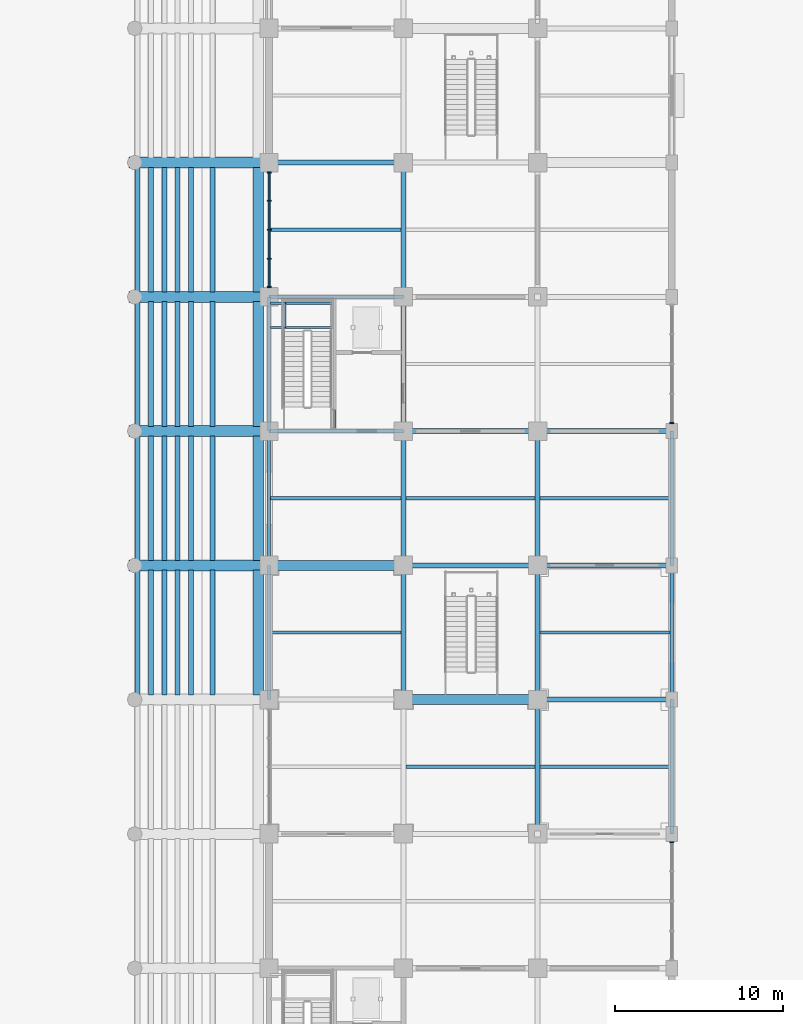
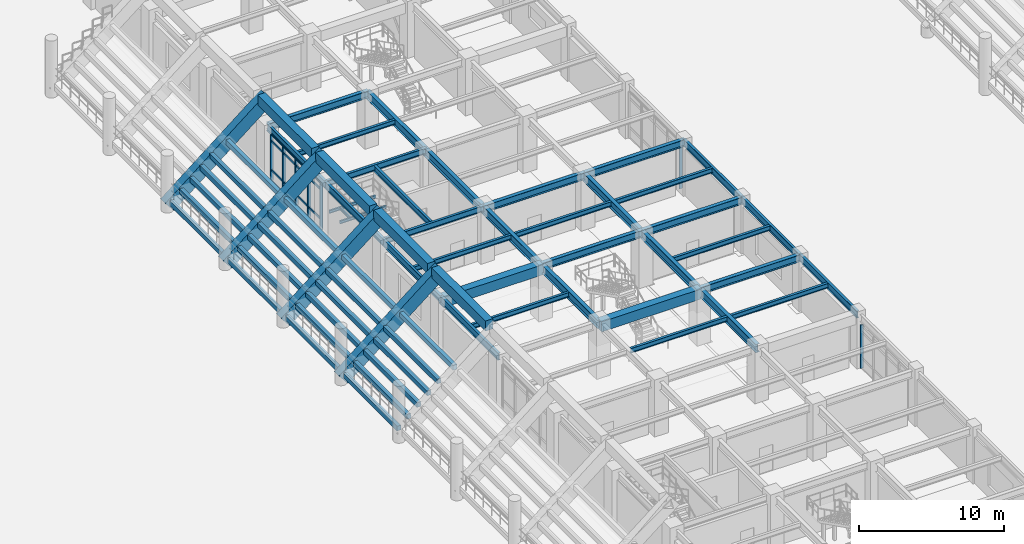
# One storey, part 37 of 125: 68 beams, 23 members, 3 elements without a shape of their own.
"""IFC4 building model written with IfcOpenShell, lengths in metres."""

import ifcopenshell
import ifcopenshell.guid

model = None  # the IFC model being written
_history = None  # IfcOwnerHistory: only IFC2X3 demands one
_inside = {}  # id of a spatial element -> (the spatial element, [elements in it])
_under = {}  # id of a project, library or spatial element -> (it, [spatial elements below it])
_declared = {}  # id of a project -> (the project, [libraries it declares])
_typed = {}  # id of a type object -> (the type object, [elements of that type])
_made_of = {}  # id of a material, layer set ... -> (it, [elements and type objects made of it])


def new_model(schema):
    """Start an empty IFC model of exactly this schema.

    Asked for "IFC4X3", IfcOpenShell would pick the latest addendum, in which some entities
    have other attributes; the version numbers below select the first issue.
    IFC2X3 requires an IfcOwnerHistory on every rooted entity: one is made here for all.
    """
    global model, _history
    if schema == "IFC4X3":
        model = ifcopenshell.file(schema_version=(4, 3, 0, 0))
    else:
        model = ifcopenshell.file(schema=schema)
    _inside.clear()
    _under.clear()
    _declared.clear()
    _typed.clear()
    _made_of.clear()
    _history = None
    if model.schema == "IFC2X3":
        org = make("IfcOrganization", Name="unknown")
        user = make(
            "IfcPersonAndOrganization",
            ThePerson=make("IfcPerson", FamilyName="unknown"),
            TheOrganization=org,
        )
        app = make(
            "IfcApplication",
            ApplicationDeveloper=org,
            Version="unknown",
            ApplicationFullName="unknown",
            ApplicationIdentifier="unknown",
        )
        _history = make(
            "IfcOwnerHistory",
            OwningUser=user,
            OwningApplication=app,
            ChangeAction="ADDED",
            CreationDate=0,
        )
    return model


def make(cls, **values):
    """One entity of the class cls with the attributes given. An attribute that is None is left unset."""
    return model.create_entity(
        cls, **{name: value for name, value in values.items() if value is not None}
    )


def rooted(cls, **values):
    """An entity with a GlobalId (a new one), such as an element, a storey or a relation."""
    return make(cls, GlobalId=ifcopenshell.guid.new(), OwnerHistory=_history, **values)


def si_unit(unit_type, name, prefix=None):
    """IfcSIUnit, for example si_unit("LENGTHUNIT", "METRE", prefix="MILLI")."""
    return make("IfcSIUnit", UnitType=unit_type, Prefix=prefix, Name=name)


def assignment(units):
    """IfcUnitAssignment: the units of a project."""
    return None if units is None else make("IfcUnitAssignment", Units=units)


def point(xyz):
    """IfcCartesianPoint."""
    return None if xyz is None else make("IfcCartesianPoint", Coordinates=xyz)


def direction(xyz):
    """IfcDirection."""
    return None if xyz is None else make("IfcDirection", DirectionRatios=xyz)


def frame(location, z_axis=None, x_axis=None):
    """IfcAxis2Placement3D, a coordinate frame: its origin and axes. An axis left out is left unset."""
    return make(
        "IfcAxis2Placement3D",
        Location=point(location),
        Axis=direction(z_axis),
        RefDirection=direction(x_axis),
    )


def frame_2d(location, x_axis=None):
    """IfcAxis2Placement2D, a coordinate frame in the plane: its origin and x axis."""
    return make(
        "IfcAxis2Placement2D", Location=point(location), RefDirection=direction(x_axis)
    )


def origin():
    """The frame at (0, 0, 0) with its axes left unset."""
    return frame((0.0, 0.0, 0.0))


def origin_2d():
    """The frame at (0, 0) in the plane with its x axis left unset."""
    return frame_2d((0.0, 0.0))


def place(relative_to, where):
    """IfcLocalPlacement: puts the frame where relative to a parent placement (None: the world)."""
    return make(
        "IfcLocalPlacement", PlacementRelTo=relative_to, RelativePlacement=where
    )


def context(
    kind, dimensions, precision=None, world=None, true_north=None, identifier=None
):
    """IfcGeometricRepresentationContext, for example the 3D "Model" context."""
    return make(
        "IfcGeometricRepresentationContext",
        ContextIdentifier=identifier,
        ContextType=kind,
        CoordinateSpaceDimension=dimensions,
        Precision=precision,
        WorldCoordinateSystem=world,
        TrueNorth=true_north,
    )


def subcontext(parent, identifier, kind, view, scale=None):
    """IfcGeometricRepresentationSubContext, for example "Body" below "Model"."""
    return make(
        "IfcGeometricRepresentationSubContext",
        ContextIdentifier=identifier,
        ContextType=kind,
        ParentContext=parent,
        TargetScale=scale,
        TargetView=view,
    )


def project(units=None, contexts=None):
    """IfcProject with its units and contexts."""
    return rooted(
        "IfcProject",
        Name="project",
        RepresentationContexts=contexts,
        UnitsInContext=assignment(units),
    )


def spatial(cls, under=None, at=None, **own):
    """A site, building, storey or space (cls), placed at a placement, below another one or the project."""
    s = rooted(cls, ObjectPlacement=at, **own)
    if under is not None:
        _under.setdefault(under.id(), (under, []))[1].append(s)
    return s


def profile(cls, at=None, kind="AREA", **sizes):
    """A parametric profile (cls). Its sizes go by their IFC names, for example OverallWidth=200.0."""
    return make(cls, ProfileType=kind, Position=at, **sizes)


def rectangle(**sizes):
    """IfcRectangleProfileDef."""
    return profile("IfcRectangleProfileDef", **sizes)


def i_section(**sizes):
    """IfcIShapeProfileDef."""
    return profile("IfcIShapeProfileDef", **sizes)


def extrude(swept, where, along, depth):
    """IfcExtrudedAreaSolid: the profile swept, set in the frame where, extruded along a direction by depth."""
    return make(
        "IfcExtrudedAreaSolid",
        SweptArea=swept,
        Position=where,
        ExtrudedDirection=direction(along),
        Depth=depth,
    )


def shape(context_of_items, identifier, shape_type, items):
    """IfcShapeRepresentation: the items that make up one representation, for example the "Body"."""
    return make(
        "IfcShapeRepresentation",
        ContextOfItems=context_of_items,
        RepresentationIdentifier=identifier,
        RepresentationType=shape_type,
        Items=items,
    )


def material(Name=None, Category=None):
    """IfcMaterial."""
    return make("IfcMaterial", Name=Name, Category=Category)


def layer(
    of_material, thickness, ventilated=None, Name=None, Category=None, Priority=None
):
    """IfcMaterialLayer: one layer of a wall or slab, of a material (None: an air gap)."""
    return make(
        "IfcMaterialLayer",
        Material=of_material,
        LayerThickness=thickness,
        IsVentilated=ventilated,
        Name=Name,
        Category=Category,
        Priority=Priority,
    )


def layer_set(layers, Name=None):
    """IfcMaterialLayerSet."""
    return make("IfcMaterialLayerSet", MaterialLayers=layers, LayerSetName=Name)


def material_profile(
    of_material, cross_section, Name=None, Category=None, Priority=None
):
    """IfcMaterialProfile: a cross section and its material."""
    return make(
        "IfcMaterialProfile",
        Name=Name,
        Material=of_material,
        Profile=cross_section,
        Priority=Priority,
        Category=Category,
    )


def profile_set(profiles, Name=None, composite=None):
    """IfcMaterialProfileSet."""
    return make(
        "IfcMaterialProfileSet",
        Name=Name,
        MaterialProfiles=profiles,
        CompositeProfile=composite,
    )


def made_of(thing, what):
    """Note that an element or type object is made of a material, layer set ...; save() writes the relation."""
    if what is not None:
        _made_of.setdefault(what.id(), (what, []))[1].append(thing)
    return thing


def type_object(cls, material=None, **own):
    """A type object (cls), such as IfcWallType, which elements share."""
    return made_of(rooted(cls, **own), material)


def element(
    cls,
    number,
    at=None,
    inside=None,
    cuts=None,
    type_object=None,
    material=None,
    context=None,
    identifier="Body",
    shape_type=None,
    held_by="IfcProductDefinitionShape",
    body=None,
    shapes=None,
    **own,
):
    """One element of the class cls, such as IfcWall. Its Tag is "e" and its number.

    at: its placement. inside: the storey or other place that contains it. cuts: it is an
    opening in that element (IfcRelVoidsElement). A single representation is given by context,
    identifier, shape_type and body (its items); several are given by shapes. held_by: the class
    of the entity that holds the representations. save() writes the other relations.
    """
    e = rooted(cls, Tag="e%d" % number, ObjectPlacement=at, **own)
    if body is not None:
        shapes = [shape(context, identifier, shape_type, body)]
    if shapes is not None:
        e.Representation = make(held_by, Representations=shapes)
    if inside is not None:
        _inside.setdefault(inside.id(), (inside, []))[1].append(e)
    if cuts is not None:
        rooted(
            "IfcRelVoidsElement", RelatingBuildingElement=cuts, RelatedOpeningElement=e
        )
    if type_object is not None:
        _typed.setdefault(type_object.id(), (type_object, []))[1].append(e)
    return made_of(e, material)


def aggregate(whole, parts):
    """IfcRelAggregates: a whole, such as a stair, and the parts it consists of."""
    return rooted("IfcRelAggregates", RelatingObject=whole, RelatedObjects=parts)


def save(model, path):
    """Write the relations noted so far, then the file.

    IfcRelAggregates (storeys below a building ...), IfcRelContainedInSpatialStructure (elements
    in a storey), IfcRelDefinesByType, IfcRelAssociatesMaterial and IfcRelDeclares: one each for
    every whole, place, type object, material and project.
    """
    for whole, parts in _under.values():
        aggregate(whole, parts)
    for where, things in _inside.values():
        rooted(
            "IfcRelContainedInSpatialStructure",
            RelatedElements=things,
            RelatingStructure=where,
        )
    for kind, things in _typed.values():
        rooted("IfcRelDefinesByType", RelatedObjects=things, RelatingType=kind)
    for what, things in _made_of.values():
        rooted("IfcRelAssociatesMaterial", RelatedObjects=things, RelatingMaterial=what)
    for by, libraries in _declared.values():
        rooted("IfcRelDeclares", RelatingContext=by, RelatedDefinitions=libraries)
    model.write(path)


model = new_model("IFC4")

# Units and contexts
model_context = context("Model", 3, precision=1e-05, world=origin(), true_north=direction((0.0, 1.0)))
body_context = subcontext(model_context, "Body", "Model", "MODEL_VIEW")
ifc_project = project(units=[si_unit("LENGTHUNIT", "METRE"), si_unit("AREAUNIT", "SQUARE_METRE"), si_unit("VOLUMEUNIT", "CUBIC_METRE"), si_unit("PLANEANGLEUNIT", "RADIAN"), si_unit("MASSUNIT", "GRAM", prefix="KILO")], contexts=[model_context])

# Site, building, storey
site_placement = place(None, origin())
site = spatial("IfcSite", under=ifc_project, at=site_placement, CompositionType="ELEMENT")
building_placement = place(site_placement, origin())
building = spatial("IfcBuilding", under=site, at=building_placement, Name="Haebicheon Civic Stadium", CompositionType="ELEMENT")
storey_placement = place(building_placement, origin())
storey = spatial("IfcBuildingStorey", under=building, at=storey_placement, Name="L01", CompositionType="ELEMENT", Elevation=0.0)

# Beams
ifc_material_1 = material(Name="Precast concrete C40/50", Category="concrete")
ifc_material_profile_1 = material_profile(ifc_material_1, rectangle(XDim=0.300048828125, YDim=0.39990234375, at=origin_2d()), Name="PC-LN-300x400")
ifc_profile_set_1 = profile_set([ifc_material_profile_1], Name="Precast concrete C40/50")
beam_type_1 = type_object("IfcBeamType", Name="BM-LN-300x400", PredefinedType="LINTEL", material=ifc_profile_set_1)
for number, where, z_axis, x_axis, name in (
    (1, (136.159912109375, 88.280029296875, 0.760009765625), (0.0, 1.0, 0.0), (-1.0, 0.0, 0.0), "TIER-E-L precast step carrier beam 6.1"),
    (2, (136.9599609375, 88.280029296875, 1.470947265625), (0.0, 1.0, 0.0), (-1.0, 0.0, 0.0), "TIER-E-L precast step carrier beam 6.2"),
    (3, (137.760009765625, 88.280029296875, 2.181884765625), (0.0, 1.0, 0.0), (-1.0, 0.0, 0.0), "TIER-E-L precast step carrier beam 6.3"),
    (4, (138.56005859375, 88.280029296875, 2.89306640625), (0.0, 1.0, 0.0), (-1.0, 0.0, 0.0), "TIER-E-L precast step carrier beam 6.4"),
    (5, (139.360107421875, 88.280029296875, 3.60400390625), (0.0, 1.0, 0.0), (-1.0, 0.0, 0.0), "TIER-E-L precast step carrier beam 6.5"),
    (6, (140.639892578125, 88.280029296875, 4.31591796875), (0.0, 1.0, 0.0), (-1.0, 0.0, 0.0), "TIER-E-L precast step carrier beam 6.6"),
    (7, (136.159912109375, 96.280029296875, 0.760009765625), (0.0, 1.0, 0.0), (-1.0, 0.0, 0.0), "TIER-E-L precast step carrier beam 7.1"),
    (8, (136.9599609375, 96.280029296875, 1.470947265625), (0.0, 1.0, 0.0), (-1.0, 0.0, 0.0), "TIER-E-L precast step carrier beam 7.2"),
    (9, (137.760009765625, 96.280029296875, 2.181884765625), (0.0, 1.0, 0.0), (-1.0, 0.0, 0.0), "TIER-E-L precast step carrier beam 7.3"),
    (10, (138.56005859375, 96.280029296875, 2.89306640625), (0.0, 1.0, 0.0), (-1.0, 0.0, 0.0), "TIER-E-L precast step carrier beam 7.4"),
    (11, (139.360107421875, 96.280029296875, 3.60400390625), (0.0, 1.0, 0.0), (-1.0, 0.0, 0.0), "TIER-E-L precast step carrier beam 7.5"),
    (12, (140.639892578125, 96.280029296875, 4.31591796875), (0.0, 1.0, 0.0), (-1.0, 0.0, 0.0), "TIER-E-L precast step carrier beam 7.6"),
    (13, (136.159912109375, 104.280029296875, 0.760009765625), (0.0, 1.0, 0.0), (-1.0, 0.0, 0.0), "TIER-E-L precast step carrier beam 8.1"),
    (14, (136.9599609375, 104.280029296875, 1.470947265625), (0.0, 1.0, 0.0), (-1.0, 0.0, 0.0), "TIER-E-L precast step carrier beam 8.2"),
    (15, (137.760009765625, 104.280029296875, 2.181884765625), (0.0, 1.0, 0.0), (-1.0, 0.0, 0.0), "TIER-E-L precast step carrier beam 8.3"),
    (16, (138.56005859375, 104.280029296875, 2.89306640625), (0.0, 1.0, 0.0), (-1.0, 0.0, 0.0), "TIER-E-L precast step carrier beam 8.4"),
    (17, (139.360107421875, 104.280029296875, 3.60400390625), (0.0, 1.0, 0.0), (-1.0, 0.0, 0.0), "TIER-E-L precast step carrier beam 8.5"),
    (18, (140.639892578125, 104.280029296875, 4.31591796875), (0.0, 1.0, 0.0), (-1.0, 0.0, 0.0), "TIER-E-L precast step carrier beam 8.6"),
    (19, (136.159912109375, 112.280029296875, 0.760009765625), (0.0, 1.0, 0.0), (-1.0, 0.0, 0.0), "TIER-E-L precast step carrier beam 9.1"),
    (20, (136.9599609375, 112.280029296875, 1.470947265625), (0.0, 1.0, 0.0), (-1.0, 0.0, 0.0), "TIER-E-L precast step carrier beam 9.2"),
    (21, (137.760009765625, 112.280029296875, 2.181884765625), (0.0, 1.0, 0.0), (-1.0, 0.0, 0.0), "TIER-E-L precast step carrier beam 9.3"),
    (22, (138.56005859375, 112.280029296875, 2.89306640625), (0.0, 1.0, 0.0), (-1.0, 0.0, 0.0), "TIER-E-L precast step carrier beam 9.4"),
    (23, (139.360107421875, 112.280029296875, 3.60400390625), (0.0, 1.0, 0.0), (-1.0, 0.0, 0.0), "TIER-E-L precast step carrier beam 9.5"),
    (24, (140.639892578125, 112.280029296875, 4.31591796875), (0.0, 1.0, 0.0), (-1.0, 0.0, 0.0), "TIER-E-L precast step carrier beam 9.6"),
):
    element("IfcBeam", number, at=place(storey_placement, frame(where, z_axis=z_axis, x_axis=x_axis)), inside=storey, type_object=beam_type_1, material=ifc_profile_set_1, Name=name, PredefinedType="LINTEL", context=body_context, shape_type="SweptSolid", body=[
        extrude(rectangle(XDim=0.300048828125, YDim=0.39990234375, at=origin_2d()), origin(), (0.0, 0.0, 1.0), 7.43994140625),
    ])
ifc_material_2 = material(Name="Steel SM355 (S355)", Category="steel")
ifc_material_profile_2 = material_profile(ifc_material_2, i_section(OverallWidth=0.199951171875, OverallDepth=0.5, WebThickness=0.010009765625, FlangeThickness=0.01611328125, at=origin_2d()), Name="H-500x200x10x16")
ifc_profile_set_2 = profile_set([ifc_material_profile_2], Name="Steel SM355 (S355)")
beam_type_2 = type_object("IfcBeamType", Name="BM-ST-H500", PredefinedType="BEAM", material=ifc_profile_set_2)
for number, where, z_axis, x_axis, name in (
    (25, (144.0, 104.0, 4.27001953125), (1.0, 0.0, 0.0), (0.0, 1.0, 0.0), "L01 beam P/19-20"),
    (26, (144.0, 112.0, 4.27001953125), (1.0, 0.0, 0.0), (0.0, 1.0, 0.0), "L01 beam Q/19-20"),
):
    element("IfcBeam", number, at=place(storey_placement, frame(where, z_axis=z_axis, x_axis=x_axis)), inside=storey, type_object=beam_type_2, material=ifc_profile_set_2, Name=name, PredefinedType="BEAM", context=body_context, shape_type="SweptSolid", body=[
        extrude(i_section(OverallWidth=0.199951171875, OverallDepth=0.5, WebThickness=0.010009765625, FlangeThickness=0.01611328125, at=origin_2d()), origin(), (0.0, 0.0, 1.0), 8.0),
    ])
beam_1_placement = place(storey_placement, frame((147.8798828125, 104.10009765625, 4.27001953125), z_axis=(0.0, 1.0, 0.0), x_axis=(-1.0, 0.0, 0.0)))
element("IfcBeam", 27, at=beam_1_placement, inside=storey, type_object=beam_type_2, material=ifc_profile_set_2, Name="L01 KC-11 core dividing wall support beam", PredefinedType="BEAM", context=body_context, shape_type="SweptSolid", body=[
    extrude(i_section(OverallWidth=0.199951171875, OverallDepth=0.5, WebThickness=0.010009765625, FlangeThickness=0.01611328125, at=origin_2d()), origin(), (0.0, 0.0, 1.0), 7.7998046875),
])
ifc_material_3 = material(Name="Steel SM355 (S355)", Category="steel")
ifc_material_profile_3 = material_profile(ifc_material_3, i_section(OverallWidth=0.300048828125, OverallDepth=0.60009765625, WebThickness=0.011962890625, FlangeThickness=0.02001953125, at=origin_2d()), Name="H-600x300x12x20")
ifc_profile_set_3 = profile_set([ifc_material_profile_3], Name="Steel SM355 (S355)")
beam_type_3 = type_object("IfcBeamType", Name="BM-ST-H600A", PredefinedType="BEAM", material=ifc_profile_set_3)
for number, where, z_axis, x_axis, name in (
    (28, (144.0, 120.0, 4.219970703125), (1.0, 0.0, 0.0), (0.0, 1.0, 0.0), "L01 beam R/19-20"),
    (29, (152.0, 96.0, 4.219970703125), (1.0, 0.0, 0.0), (0.0, 1.0, 0.0), "L01 beam N/20-21"),
    (30, (152.0, 104.0, 4.219970703125), (1.0, 0.0, 0.0), (0.0, 1.0, 0.0), "L01 beam P/20-21"),
    (31, (160.0, 88.0, 4.219970703125), (1.0, 0.0, 0.0), (0.0, 1.0, 0.0), "L01 beam M/21-22"),
    (32, (160.0, 96.0, 4.219970703125), (1.0, 0.0, 0.0), (0.0, 1.0, 0.0), "L01 beam N/21-22"),
    (33, (160.0, 104.0, 4.219970703125), (1.0, 0.0, 0.0), (0.0, 1.0, 0.0), "L01 beam P/21-22"),
):
    element("IfcBeam", number, at=place(storey_placement, frame(where, z_axis=z_axis, x_axis=x_axis)), inside=storey, type_object=beam_type_3, material=ifc_profile_set_3, Name=name, PredefinedType="BEAM", context=body_context, shape_type="SweptSolid", body=[
        extrude(i_section(OverallWidth=0.300048828125, OverallDepth=0.60009765625, WebThickness=0.011962890625, FlangeThickness=0.02001953125, at=origin_2d()), origin(), (0.0, 0.0, 1.0), 8.0),
    ])
ifc_material_4 = material(Name="Steel SM490", Category="steel")
ifc_material_profile_4 = material_profile(ifc_material_4, i_section(OverallWidth=0.300048828125, OverallDepth=0.699951171875, WebThickness=0.012939453125, FlangeThickness=0.02392578125, at=origin_2d()), Name="H-700x300x13x24")
ifc_profile_set_4 = profile_set([ifc_material_profile_4], Name="Steel SM490")
beam_type_4 = type_object("IfcBeamType", Name="BM-ST-H700", PredefinedType="BEAM", material=ifc_profile_set_4)
for number, where, z_axis, x_axis, name in (
    (34, (152.0, 88.0, 4.169921875), (0.0, 1.0, 0.0), (-1.0, 0.0, 0.0), "L01 girder 20/M-N"),
    (35, (152.0, 96.0, 4.169921875), (0.0, 1.0, 0.0), (-1.0, 0.0, 0.0), "L01 girder 20/N-P"),
    (36, (152.0, 104.0, 4.169921875), (0.0, 1.0, 0.0), (-1.0, 0.0, 0.0), "L01 girder 20/P-Q"),
    (37, (152.0, 112.0, 4.169921875), (0.0, 1.0, 0.0), (-1.0, 0.0, 0.0), "L01 girder 20/Q-R"),
    (38, (160.0, 80.0, 4.169921875), (0.0, 1.0, 0.0), (-1.0, 0.0, 0.0), "L01 girder 21/L-M"),
    (39, (160.0, 88.0, 4.169921875), (0.0, 1.0, 0.0), (-1.0, 0.0, 0.0), "L01 girder 21/M-N"),
    (40, (160.0, 96.0, 4.169921875), (0.0, 1.0, 0.0), (-1.0, 0.0, 0.0), "L01 girder 21/N-P"),
):
    element("IfcBeam", number, at=place(storey_placement, frame(where, z_axis=z_axis, x_axis=x_axis)), inside=storey, type_object=beam_type_4, material=ifc_profile_set_4, Name=name, PredefinedType="BEAM", context=body_context, shape_type="SweptSolid", body=[
        extrude(i_section(OverallWidth=0.300048828125, OverallDepth=0.699951171875, WebThickness=0.012939453125, FlangeThickness=0.02392578125, at=origin_2d()), origin(), (0.0, 0.0, 1.0), 8.0),
    ])
ifc_material_5 = material(Name="Precast concrete C40/50", Category="concrete")
ifc_material_profile_5 = material_profile(ifc_material_5, rectangle(XDim=0.60009765625, YDim=0.85009765625, at=origin_2d()), Name="PC-TB-600x850")
ifc_profile_set_5 = profile_set([ifc_material_profile_5], Name="Precast concrete C40/50")
beam_type_5 = type_object("IfcBeamType", Name="BM-TB-600x850", PredefinedType="T_BEAM", material=ifc_profile_set_5)
for number, where, z_axis, x_axis, name in (
    (41, (144.0, 96.0, 4.094970703125), (1.0, 0.0, 0.0), (0.0, 1.0, 0.0), "L01 beam N/19-20"),
    (42, (152.0, 88.0, 4.094970703125), (1.0, 0.0, 0.0), (0.0, 1.0, 0.0), "L01 beam M/20-21"),
):
    element("IfcBeam", number, at=place(storey_placement, frame(where, z_axis=z_axis, x_axis=x_axis)), inside=storey, type_object=beam_type_5, material=ifc_profile_set_5, Name=name, PredefinedType="T_BEAM", context=body_context, shape_type="SweptSolid", body=[
        extrude(rectangle(XDim=0.60009765625, YDim=0.85009765625, at=origin_2d()), origin(), (0.0, 0.0, 1.0), 8.0),
    ])
for number, where, z_axis, x_axis, name in (
    (43, (143.360107421875, 88.280029296875, 6.93505859375), (0.0, 1.0, 0.0), (-1.0, 0.0, 0.0), "TIER-E-L upper tier bench carrier beam 6"),
    (44, (143.360107421875, 96.280029296875, 6.93505859375), (0.0, 1.0, 0.0), (-1.0, 0.0, 0.0), "TIER-E-L upper tier bench carrier beam 7"),
    (45, (143.360107421875, 104.280029296875, 6.93505859375), (0.0, 1.0, 0.0), (-1.0, 0.0, 0.0), "TIER-E-L upper tier bench carrier beam 8"),
    (46, (143.360107421875, 112.280029296875, 6.93505859375), (0.0, 1.0, 0.0), (-1.0, 0.0, 0.0), "TIER-E-L upper tier bench carrier beam 9"),
):
    element("IfcBeam", number, at=place(storey_placement, frame(where, z_axis=z_axis, x_axis=x_axis)), inside=storey, type_object=beam_type_5, material=ifc_profile_set_5, Name=name, PredefinedType="T_BEAM", context=body_context, shape_type="SweptSolid", body=[
        extrude(rectangle(XDim=0.60009765625, YDim=0.85009765625, at=origin_2d()), origin(), (0.0, 0.0, 1.0), 7.43994140625),
    ])

# Curtain wall, members
ifc_material_6 = material(Name="Anodised aluminium and laminated glass", Category="aluminium")
ifc_layer_1 = layer(ifc_material_6, 0.179931640625, Name="Anodised aluminium and laminated glass")
ifc_layer_set_1 = layer_set([ifc_layer_1], Name="Anodised aluminium and laminated glass")
curtain_wall_type_1 = type_object("IfcCurtainWallType", Name="CW-6900x3910", PredefinedType="NOTDEFINED", material=ifc_layer_set_1)
curtain_wall_1_placement = place(storey_placement, origin())
curtain_wall_1 = element("IfcCurtainWall", 47, at=curtain_wall_1_placement, inside=storey, type_object=curtain_wall_type_1, material=ifc_layer_set_1, Name="L01 unitised curtain wall 015", PredefinedType="NOTDEFINED")
ifc_material_7 = material(Name="Anodised aluminium 6063-T6", Category="aluminium")
ifc_material_profile_6 = material_profile(ifc_material_7, rectangle(XDim=0.080078125, YDim=0.239990234375, at=origin_2d()), Name="ALU-MULL-80x240")
ifc_profile_set_6 = profile_set([ifc_material_profile_6], Name="Anodised aluminium 6063-T6")
member_type_1 = type_object("IfcMemberType", Name="CWM-240x80", PredefinedType="MULLION", material=ifc_profile_set_6)
member_1_placement = place(storey_placement, frame((144.0, 112.590087890625, 0.0), z_axis=(0.0, 0.0, 1.0), x_axis=(0.0, 1.0, 0.0)))
member_1 = element("IfcMember", 48, at=member_1_placement, type_object=member_type_1, material=ifc_profile_set_6, Name="CW-L01-015 vertical mullion 1", PredefinedType="MULLION", context=body_context, shape_type="SweptSolid", body=[
    extrude(rectangle(XDim=0.080078125, YDim=0.239990234375, at=origin_2d()), origin(), (0.0, 0.0, 1.0), 3.909912109375),
])
member_2_placement = place(storey_placement, frame((144.0, 114.27490234375, 0.0), z_axis=(0.0, 0.0, 1.0), x_axis=(0.0, 1.0, 0.0)))
member_2 = element("IfcMember", 49, at=member_2_placement, type_object=member_type_1, material=ifc_profile_set_6, Name="CW-L01-015 vertical mullion 2", PredefinedType="MULLION", context=body_context, shape_type="SweptSolid", body=[
    extrude(rectangle(XDim=0.080078125, YDim=0.239990234375, at=origin_2d()), origin(), (0.0, 0.0, 1.0), 3.909912109375),
])
member_3_placement = place(storey_placement, frame((144.0, 116.0, 0.0), z_axis=(0.0, 0.0, 1.0), x_axis=(0.0, 1.0, 0.0)))
member_3 = element("IfcMember", 50, at=member_3_placement, type_object=member_type_1, material=ifc_profile_set_6, Name="CW-L01-015 vertical mullion 3", PredefinedType="MULLION", context=body_context, shape_type="SweptSolid", body=[
    extrude(rectangle(XDim=0.080078125, YDim=0.239990234375, at=origin_2d()), origin(), (0.0, 0.0, 1.0), 3.909912109375),
])
member_4_placement = place(storey_placement, frame((144.0, 117.72509765625, 0.0), z_axis=(0.0, 0.0, 1.0), x_axis=(0.0, 1.0, 0.0)))
member_4 = element("IfcMember", 51, at=member_4_placement, type_object=member_type_1, material=ifc_profile_set_6, Name="CW-L01-015 vertical mullion 4", PredefinedType="MULLION", context=body_context, shape_type="SweptSolid", body=[
    extrude(rectangle(XDim=0.080078125, YDim=0.239990234375, at=origin_2d()), origin(), (0.0, 0.0, 1.0), 3.909912109375),
])
member_5_placement = place(storey_placement, frame((144.0, 119.409912109375, 0.0), z_axis=(0.0, 0.0, 1.0), x_axis=(0.0, 1.0, 0.0)))
member_5 = element("IfcMember", 52, at=member_5_placement, type_object=member_type_1, material=ifc_profile_set_6, Name="CW-L01-015 vertical mullion 5", PredefinedType="MULLION", context=body_context, shape_type="SweptSolid", body=[
    extrude(rectangle(XDim=0.080078125, YDim=0.239990234375, at=origin_2d()), origin(), (0.0, 0.0, 1.0), 3.909912109375),
])

# Curtain wall, member
ifc_material_8 = material(Name="Anodised aluminium and laminated glass", Category="aluminium")
ifc_layer_2 = layer(ifc_material_8, 0.179931640625, Name="Anodised aluminium and laminated glass")
ifc_layer_set_2 = layer_set([ifc_layer_2], Name="Anodised aluminium and laminated glass")
curtain_wall_type_2 = type_object("IfcCurtainWallType", Name="CW-7100x3660", PredefinedType="NOTDEFINED", material=ifc_layer_set_2)
curtain_wall_2_placement = place(storey_placement, origin())
curtain_wall_2 = element("IfcCurtainWall", 53, at=curtain_wall_2_placement, inside=storey, type_object=curtain_wall_type_2, material=ifc_layer_set_2, Name="L01 unitised curtain wall 018", PredefinedType="NOTDEFINED")
member_6_placement = place(storey_placement, frame((168.0, 79.510009765625, 0.0), z_axis=(0.0, 0.0, 1.0), x_axis=(0.0, 1.0, 0.0)))
member_6 = element("IfcMember", 54, at=member_6_placement, type_object=member_type_1, material=ifc_profile_set_6, Name="CW-L01-018 vertical mullion 5", PredefinedType="MULLION", context=body_context, shape_type="SweptSolid", body=[
    extrude(rectangle(XDim=0.080078125, YDim=0.239990234375, at=origin_2d()), origin(), (0.0, 0.0, 1.0), 3.659912109375),
])
aggregate(curtain_wall_2, [member_6])

ifc_material_9 = material(Name="Anodised aluminium and laminated glass", Category="aluminium")
ifc_layer_3 = layer(ifc_material_9, 0.179931640625, Name="Anodised aluminium and laminated glass")
ifc_layer_set_3 = layer_set([ifc_layer_3], Name="Anodised aluminium and laminated glass")
curtain_wall_type_3 = type_object("IfcCurtainWallType", Name="CW-7100x3910", PredefinedType="NOTDEFINED", material=ifc_layer_set_3)
curtain_wall_3_placement = place(storey_placement, origin())
curtain_wall_3 = element("IfcCurtainWall", 55, at=curtain_wall_3_placement, inside=storey, type_object=curtain_wall_type_3, material=ifc_layer_set_3, Name="L01 unitised curtain wall 019", PredefinedType="NOTDEFINED")
member_7_placement = place(storey_placement, frame((168.0, 104.489990234375, 0.0), z_axis=(0.0, 0.0, 1.0), x_axis=(0.0, 1.0, 0.0)))
member_7 = element("IfcMember", 56, at=member_7_placement, type_object=member_type_1, material=ifc_profile_set_6, Name="CW-L01-019 vertical mullion 1", PredefinedType="MULLION", context=body_context, shape_type="SweptSolid", body=[
    extrude(rectangle(XDim=0.080078125, YDim=0.239990234375, at=origin_2d()), origin(), (0.0, 0.0, 1.0), 3.909912109375),
])
aggregate(curtain_wall_3, [member_7])

# Member
ifc_material_10 = material(Name="Anodised aluminium 6063-T6", Category="aluminium")
ifc_material_profile_7 = material_profile(ifc_material_10, rectangle(XDim=0.080078125, YDim=0.179931640625, at=origin_2d()), Name="ALU-TRAN-80x180")
ifc_profile_set_7 = profile_set([ifc_material_profile_7], Name="Anodised aluminium 6063-T6")
member_type_2 = type_object("IfcMemberType", Name="CWT-180x80", PredefinedType="NOTDEFINED", material=ifc_profile_set_7)
member_8_placement = place(storey_placement, frame((144.0, 112.6298828125, 0.0), z_axis=(0.0, 1.0, 0.0), x_axis=(-1.0, 0.0, 0.0)))
member_8 = element("IfcMember", 57, at=member_8_placement, type_object=member_type_2, material=ifc_profile_set_7, Name="CW-L01-015 horizontal transom 1.1", ObjectType="TRANSOM", PredefinedType="USERDEFINED", context=body_context, shape_type="SweptSolid", body=[
    extrude(rectangle(XDim=0.080078125, YDim=0.179931640625, at=origin_2d()), origin(), (0.0, 0.0, 1.0), 1.605224609375),
])

member_9_placement = place(storey_placement, frame((144.0, 112.6298828125, 0.89990234375), z_axis=(0.0, 1.0, 0.0), x_axis=(-1.0, 0.0, 0.0)))
member_9 = element("IfcMember", 58, at=member_9_placement, type_object=member_type_2, material=ifc_profile_set_7, Name="CW-L01-015 horizontal transom 1.2", ObjectType="TRANSOM", PredefinedType="USERDEFINED", context=body_context, shape_type="SweptSolid", body=[
    extrude(rectangle(XDim=0.080078125, YDim=0.179931640625, at=origin_2d()), origin(), (0.0, 0.0, 1.0), 1.605224609375),
])

member_10_placement = place(storey_placement, frame((144.0, 112.6298828125, 3.360107421875), z_axis=(0.0, 1.0, 0.0), x_axis=(-1.0, 0.0, 0.0)))
member_10 = element("IfcMember", 59, at=member_10_placement, type_object=member_type_2, material=ifc_profile_set_7, Name="CW-L01-015 horizontal transom 1.3", ObjectType="TRANSOM", PredefinedType="USERDEFINED", context=body_context, shape_type="SweptSolid", body=[
    extrude(rectangle(XDim=0.080078125, YDim=0.179931640625, at=origin_2d()), origin(), (0.0, 0.0, 1.0), 1.605224609375),
])

member_11_placement = place(storey_placement, frame((144.0, 112.6298828125, 3.909912109375), z_axis=(0.0, 1.0, 0.0), x_axis=(-1.0, 0.0, 0.0)))
member_11 = element("IfcMember", 60, at=member_11_placement, type_object=member_type_2, material=ifc_profile_set_7, Name="CW-L01-015 horizontal transom 1.4", ObjectType="TRANSOM", PredefinedType="USERDEFINED", context=body_context, shape_type="SweptSolid", body=[
    extrude(rectangle(XDim=0.080078125, YDim=0.179931640625, at=origin_2d()), origin(), (0.0, 0.0, 1.0), 1.605224609375),
])

member_12_placement = place(storey_placement, frame((144.0, 114.31494140625, 0.0), z_axis=(0.0, 1.0, 0.0), x_axis=(-1.0, 0.0, 0.0)))
member_12 = element("IfcMember", 61, at=member_12_placement, type_object=member_type_2, material=ifc_profile_set_7, Name="CW-L01-015 horizontal transom 2.1", ObjectType="TRANSOM", PredefinedType="USERDEFINED", context=body_context, shape_type="SweptSolid", body=[
    extrude(rectangle(XDim=0.080078125, YDim=0.179931640625, at=origin_2d()), origin(), (0.0, 0.0, 1.0), 1.64501953125),
])

member_13_placement = place(storey_placement, frame((144.0, 114.31494140625, 0.89990234375), z_axis=(0.0, 1.0, 0.0), x_axis=(-1.0, 0.0, 0.0)))
member_13 = element("IfcMember", 62, at=member_13_placement, type_object=member_type_2, material=ifc_profile_set_7, Name="CW-L01-015 horizontal transom 2.2", ObjectType="TRANSOM", PredefinedType="USERDEFINED", context=body_context, shape_type="SweptSolid", body=[
    extrude(rectangle(XDim=0.080078125, YDim=0.179931640625, at=origin_2d()), origin(), (0.0, 0.0, 1.0), 1.64501953125),
])

member_14_placement = place(storey_placement, frame((144.0, 114.31494140625, 3.360107421875), z_axis=(0.0, 1.0, 0.0), x_axis=(-1.0, 0.0, 0.0)))
member_14 = element("IfcMember", 63, at=member_14_placement, type_object=member_type_2, material=ifc_profile_set_7, Name="CW-L01-015 horizontal transom 2.3", ObjectType="TRANSOM", PredefinedType="USERDEFINED", context=body_context, shape_type="SweptSolid", body=[
    extrude(rectangle(XDim=0.080078125, YDim=0.179931640625, at=origin_2d()), origin(), (0.0, 0.0, 1.0), 1.64501953125),
])

member_15_placement = place(storey_placement, frame((144.0, 114.31494140625, 3.909912109375), z_axis=(0.0, 1.0, 0.0), x_axis=(-1.0, 0.0, 0.0)))
member_15 = element("IfcMember", 64, at=member_15_placement, type_object=member_type_2, material=ifc_profile_set_7, Name="CW-L01-015 horizontal transom 2.4", ObjectType="TRANSOM", PredefinedType="USERDEFINED", context=body_context, shape_type="SweptSolid", body=[
    extrude(rectangle(XDim=0.080078125, YDim=0.179931640625, at=origin_2d()), origin(), (0.0, 0.0, 1.0), 1.64501953125),
])

member_16_placement = place(storey_placement, frame((144.0, 116.0400390625, 0.0), z_axis=(0.0, 1.0, 0.0), x_axis=(-1.0, 0.0, 0.0)))
member_16 = element("IfcMember", 65, at=member_16_placement, type_object=member_type_2, material=ifc_profile_set_7, Name="CW-L01-015 horizontal transom 3.1", ObjectType="TRANSOM", PredefinedType="USERDEFINED", context=body_context, shape_type="SweptSolid", body=[
    extrude(rectangle(XDim=0.080078125, YDim=0.179931640625, at=origin_2d()), origin(), (0.0, 0.0, 1.0), 1.64501953125),
])

member_17_placement = place(storey_placement, frame((144.0, 116.0400390625, 0.89990234375), z_axis=(0.0, 1.0, 0.0), x_axis=(-1.0, 0.0, 0.0)))
member_17 = element("IfcMember", 66, at=member_17_placement, type_object=member_type_2, material=ifc_profile_set_7, Name="CW-L01-015 horizontal transom 3.2", ObjectType="TRANSOM", PredefinedType="USERDEFINED", context=body_context, shape_type="SweptSolid", body=[
    extrude(rectangle(XDim=0.080078125, YDim=0.179931640625, at=origin_2d()), origin(), (0.0, 0.0, 1.0), 1.64501953125),
])

member_18_placement = place(storey_placement, frame((144.0, 116.0400390625, 3.360107421875), z_axis=(0.0, 1.0, 0.0), x_axis=(-1.0, 0.0, 0.0)))
member_18 = element("IfcMember", 67, at=member_18_placement, type_object=member_type_2, material=ifc_profile_set_7, Name="CW-L01-015 horizontal transom 3.3", ObjectType="TRANSOM", PredefinedType="USERDEFINED", context=body_context, shape_type="SweptSolid", body=[
    extrude(rectangle(XDim=0.080078125, YDim=0.179931640625, at=origin_2d()), origin(), (0.0, 0.0, 1.0), 1.64501953125),
])

member_19_placement = place(storey_placement, frame((144.0, 116.0400390625, 3.909912109375), z_axis=(0.0, 1.0, 0.0), x_axis=(-1.0, 0.0, 0.0)))
member_19 = element("IfcMember", 68, at=member_19_placement, type_object=member_type_2, material=ifc_profile_set_7, Name="CW-L01-015 horizontal transom 3.4", ObjectType="TRANSOM", PredefinedType="USERDEFINED", context=body_context, shape_type="SweptSolid", body=[
    extrude(rectangle(XDim=0.080078125, YDim=0.179931640625, at=origin_2d()), origin(), (0.0, 0.0, 1.0), 1.64501953125),
])

member_20_placement = place(storey_placement, frame((144.0, 117.764892578125, 0.0), z_axis=(0.0, 1.0, 0.0), x_axis=(-1.0, 0.0, 0.0)))
member_20 = element("IfcMember", 69, at=member_20_placement, type_object=member_type_2, material=ifc_profile_set_7, Name="CW-L01-015 horizontal transom 4.1", ObjectType="TRANSOM", PredefinedType="USERDEFINED", context=body_context, shape_type="SweptSolid", body=[
    extrude(rectangle(XDim=0.080078125, YDim=0.179931640625, at=origin_2d()), origin(), (0.0, 0.0, 1.0), 1.605224609375),
])

member_21_placement = place(storey_placement, frame((144.0, 117.764892578125, 0.89990234375), z_axis=(0.0, 1.0, 0.0), x_axis=(-1.0, 0.0, 0.0)))
member_21 = element("IfcMember", 70, at=member_21_placement, type_object=member_type_2, material=ifc_profile_set_7, Name="CW-L01-015 horizontal transom 4.2", ObjectType="TRANSOM", PredefinedType="USERDEFINED", context=body_context, shape_type="SweptSolid", body=[
    extrude(rectangle(XDim=0.080078125, YDim=0.179931640625, at=origin_2d()), origin(), (0.0, 0.0, 1.0), 1.605224609375),
])

member_22_placement = place(storey_placement, frame((144.0, 117.764892578125, 3.360107421875), z_axis=(0.0, 1.0, 0.0), x_axis=(-1.0, 0.0, 0.0)))
member_22 = element("IfcMember", 71, at=member_22_placement, type_object=member_type_2, material=ifc_profile_set_7, Name="CW-L01-015 horizontal transom 4.3", ObjectType="TRANSOM", PredefinedType="USERDEFINED", context=body_context, shape_type="SweptSolid", body=[
    extrude(rectangle(XDim=0.080078125, YDim=0.179931640625, at=origin_2d()), origin(), (0.0, 0.0, 1.0), 1.605224609375),
])

member_23_placement = place(storey_placement, frame((144.0, 117.764892578125, 3.909912109375), z_axis=(0.0, 1.0, 0.0), x_axis=(-1.0, 0.0, 0.0)))
member_23 = element("IfcMember", 72, at=member_23_placement, type_object=member_type_2, material=ifc_profile_set_7, Name="CW-L01-015 horizontal transom 4.4", ObjectType="TRANSOM", PredefinedType="USERDEFINED", context=body_context, shape_type="SweptSolid", body=[
    extrude(rectangle(XDim=0.080078125, YDim=0.179931640625, at=origin_2d()), origin(), (0.0, 0.0, 1.0), 1.605224609375),
])

aggregate(curtain_wall_1, [member_1, member_2, member_3, member_4, member_5, member_8, member_9, member_10, member_11, member_12, member_13, member_14, member_15, member_16, member_17, member_18, member_19, member_20, member_21, member_22, member_23])

# Beams
ifc_material_11 = material(Name="Steel SM355 (S355)", Category="steel")
ifc_material_profile_8 = material_profile(ifc_material_11, i_section(OverallWidth=0.125, OverallDepth=0.25, WebThickness=0.006103515625, FlangeThickness=0.009033203125, at=origin_2d()), Name="H-250x125x6x9")
ifc_profile_set_8 = profile_set([ifc_material_profile_8], Name="Steel SM355 (S355)")
beam_type_6 = type_object("IfcBeamType", Name="JST-ST-H250", PredefinedType="JOIST", material=ifc_profile_set_8)
for number, where, z_axis, x_axis, name in (
    (73, (144.080078125, 110.169921875, 2.072021484375), (1.0, 0.0, 0.0), (0.0, 1.0, 0.0), "KC-11 L01 stair half-landing front trimmer beam"),
    (74, (144.080078125, 111.6201171875, 2.072021484375), (1.0, 0.0, 0.0), (0.0, 1.0, 0.0), "KC-11 L01 stair half-landing rear trimmer beam"),
):
    element("IfcBeam", number, at=place(storey_placement, frame(where, z_axis=z_axis, x_axis=x_axis)), inside=storey, type_object=beam_type_6, material=ifc_profile_set_8, Name=name, PredefinedType="JOIST", context=body_context, shape_type="SweptSolid", body=[
        extrude(i_section(OverallWidth=0.125, OverallDepth=0.25, WebThickness=0.006103515625, FlangeThickness=0.009033203125, at=origin_2d()), origin(), (0.0, 0.0, 1.0), 3.719970703125),
    ])
beam_2_placement = place(storey_placement, frame((144.9599609375, 110.169921875, 2.072021484375), z_axis=(0.0, 1.0, 0.0), x_axis=(-1.0, 0.0, 0.0)))
element("IfcBeam", 75, at=beam_2_placement, inside=storey, type_object=beam_type_6, material=ifc_profile_set_8, Name="KC-11 L01 stair half-landing transverse tie beam", PredefinedType="JOIST", context=body_context, shape_type="SweptSolid", body=[
    extrude(i_section(OverallWidth=0.125, OverallDepth=0.25, WebThickness=0.006103515625, FlangeThickness=0.009033203125, at=origin_2d()), origin(), (0.0, 0.0, 1.0), 1.4501953125),
])
ifc_material_12 = material(Name="Steel SM355 (S355)", Category="steel")
ifc_material_profile_9 = material_profile(ifc_material_12, i_section(OverallWidth=0.199951171875, OverallDepth=0.39990234375, WebThickness=0.008056640625, FlangeThickness=0.012939453125, at=origin_2d()), Name="H-400x200x8x13")
ifc_profile_set_9 = profile_set([ifc_material_profile_9], Name="Steel SM355 (S355)")
beam_type_7 = type_object("IfcBeamType", Name="JST-ST-H400", PredefinedType="JOIST", material=ifc_profile_set_9)
for number, where, z_axis, x_axis, name in (
    (76, (144.10009765625, 92.0, 4.320068359375), (1.0, 0.0, 0.0), (0.0, 1.0, 0.0), "L01 secondary joist 18-11"),
    (77, (144.10009765625, 100.0, 4.320068359375), (1.0, 0.0, 0.0), (0.0, 1.0, 0.0), "L01 secondary joist 18-12"),
    (78, (144.10009765625, 116.0, 4.320068359375), (1.0, 0.0, 0.0), (0.0, 1.0, 0.0), "L01 secondary joist 18-14"),
):
    element("IfcBeam", number, at=place(storey_placement, frame(where, z_axis=z_axis, x_axis=x_axis)), inside=storey, type_object=beam_type_7, material=ifc_profile_set_9, Name=name, PredefinedType="JOIST", context=body_context, shape_type="SweptSolid", body=[
        extrude(i_section(OverallWidth=0.199951171875, OverallDepth=0.39990234375, WebThickness=0.008056640625, FlangeThickness=0.012939453125, at=origin_2d()), origin(), (0.0, 0.0, 1.0), 7.75),
    ])
for number, where, z_axis, x_axis, name in (
    (79, (152.14990234375, 84.0, 4.320068359375), (1.0, 0.0, 0.0), (0.0, 1.0, 0.0), "L01 secondary joist 19-10"),
    (80, (152.14990234375, 100.0, 4.320068359375), (1.0, 0.0, 0.0), (0.0, 1.0, 0.0), "L01 secondary joist 19-12"),
):
    element("IfcBeam", number, at=place(storey_placement, frame(where, z_axis=z_axis, x_axis=x_axis)), inside=storey, type_object=beam_type_7, material=ifc_profile_set_9, Name=name, PredefinedType="JOIST", context=body_context, shape_type="SweptSolid", body=[
        extrude(i_section(OverallWidth=0.199951171875, OverallDepth=0.39990234375, WebThickness=0.008056640625, FlangeThickness=0.012939453125, at=origin_2d()), origin(), (0.0, 0.0, 1.0), 7.7001953125),
    ])
for number, where, z_axis, x_axis, name in (
    (81, (160.14990234375, 84.0, 4.320068359375), (1.0, 0.0, 0.0), (0.0, 1.0, 0.0), "L01 secondary joist 20-10"),
    (82, (160.14990234375, 92.0, 4.320068359375), (1.0, 0.0, 0.0), (0.0, 1.0, 0.0), "L01 secondary joist 20-11"),
    (83, (160.14990234375, 100.0, 4.320068359375), (1.0, 0.0, 0.0), (0.0, 1.0, 0.0), "L01 secondary joist 20-12"),
):
    element("IfcBeam", number, at=place(storey_placement, frame(where, z_axis=z_axis, x_axis=x_axis)), inside=storey, type_object=beam_type_7, material=ifc_profile_set_9, Name=name, PredefinedType="JOIST", context=body_context, shape_type="SweptSolid", body=[
        extrude(i_section(OverallWidth=0.199951171875, OverallDepth=0.39990234375, WebThickness=0.008056640625, FlangeThickness=0.012939453125, at=origin_2d()), origin(), (0.0, 0.0, 1.0), 7.75),
    ])
ifc_material_13 = material(Name="Precast concrete C40/50", Category="concrete")
ifc_material_profile_10 = material_profile(ifc_material_13, rectangle(XDim=0.64990234375, YDim=1.10009765625, at=origin_2d()), Name="PC-RK-650x1100")
ifc_profile_set_10 = profile_set([ifc_material_profile_10], Name="Precast concrete C40/50")
beam_type_8 = type_object("IfcBeamType", Name="RK-PC-650x1100", PredefinedType="USERDEFINED", material=ifc_profile_set_10)
for number, where, z_axis, x_axis, name in (
    (84, (136.0, 96.0, 0.409912109375), (0.780861834757, 0.0, 0.624703765813), (0.0, 1.0, 0.0), "TIER-E-L inclined precast raker beam 7"),
    (85, (136.0, 104.0, 0.409912109375), (0.780861834757, 0.0, 0.624703765813), (0.0, 1.0, 0.0), "TIER-E-L inclined precast raker beam 8"),
    (86, (136.0, 112.0, 0.409912109375), (0.780861834757, 0.0, 0.624703765813), (0.0, 1.0, 0.0), "TIER-E-L inclined precast raker beam 9"),
    (87, (136.0, 120.0, 0.409912109375), (0.780861834757, 0.0, 0.624703765813), (0.0, 1.0, 0.0), "TIER-E-L inclined precast raker beam 10"),
):
    element("IfcBeam", number, at=place(storey_placement, frame(where, z_axis=z_axis, x_axis=x_axis)), inside=storey, type_object=beam_type_8, material=ifc_profile_set_10, Name=name, ObjectType="RAKER BEAM", PredefinedType="USERDEFINED", context=body_context, shape_type="SweptSolid", body=[
        extrude(rectangle(XDim=0.64990234375, YDim=1.10009765625, at=origin_2d()), origin(), (0.0, 0.0, 1.0), 10.2451171875),
    ])
ifc_material_14 = material(Name="Steel SM355 (S355)", Category="steel")
ifc_material_profile_11 = material_profile(ifc_material_14, i_section(OverallWidth=0.199951171875, OverallDepth=0.60009765625, WebThickness=0.010986328125, FlangeThickness=0.01708984375, at=origin_2d()), Name="H-600x200x11x17")
ifc_profile_set_11 = profile_set([ifc_material_profile_11], Name="Steel SM355 (S355)")
beam_type_9 = type_object("IfcBeamType", Name="SPD-ST-H600B", PredefinedType="SPANDREL", material=ifc_profile_set_11)
for number, where, z_axis, x_axis, name in (
    (88, (144.0, 88.0, 4.219970703125), (0.0, 1.0, 0.0), (-1.0, 0.0, 0.0), "L01 girder 19/M-N"),
    (89, (144.0, 96.0, 4.219970703125), (0.0, 1.0, 0.0), (-1.0, 0.0, 0.0), "L01 girder 19/N-P"),
    (90, (144.0, 104.0, 4.219970703125), (0.0, 1.0, 0.0), (-1.0, 0.0, 0.0), "L01 girder 19/P-Q"),
    (91, (144.0, 112.0, 4.219970703125), (0.0, 1.0, 0.0), (-1.0, 0.0, 0.0), "L01 girder 19/Q-R"),
    (92, (168.0, 80.0, 4.219970703125), (0.0, 1.0, 0.0), (-1.0, 0.0, 0.0), "L01 girder 22/L-M"),
    (93, (168.0, 88.0, 4.219970703125), (0.0, 1.0, 0.0), (-1.0, 0.0, 0.0), "L01 girder 22/M-N"),
    (94, (168.0, 96.0, 4.219970703125), (0.0, 1.0, 0.0), (-1.0, 0.0, 0.0), "L01 girder 22/N-P"),
):
    element("IfcBeam", number, at=place(storey_placement, frame(where, z_axis=z_axis, x_axis=x_axis)), inside=storey, type_object=beam_type_9, material=ifc_profile_set_11, Name=name, PredefinedType="SPANDREL", context=body_context, shape_type="SweptSolid", body=[
        extrude(i_section(OverallWidth=0.199951171875, OverallDepth=0.60009765625, WebThickness=0.010986328125, FlangeThickness=0.01708984375, at=origin_2d()), origin(), (0.0, 0.0, 1.0), 8.0),
    ])

save(model, "model.ifc")
